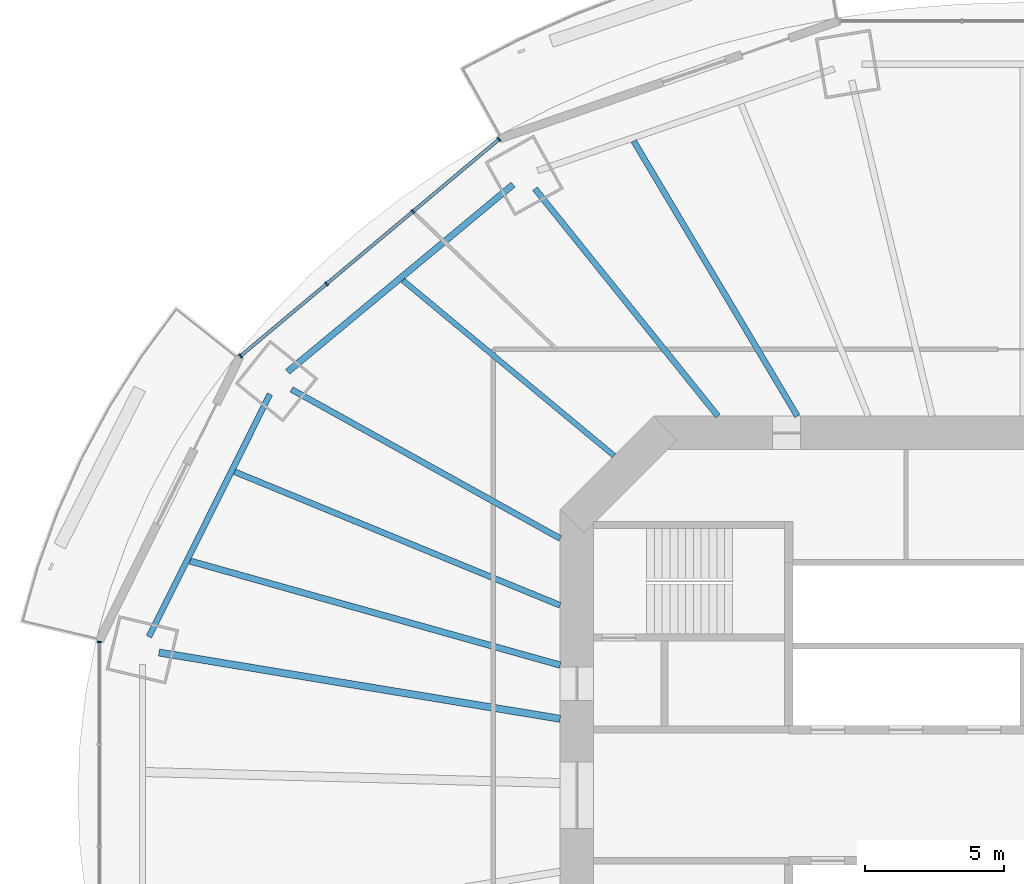
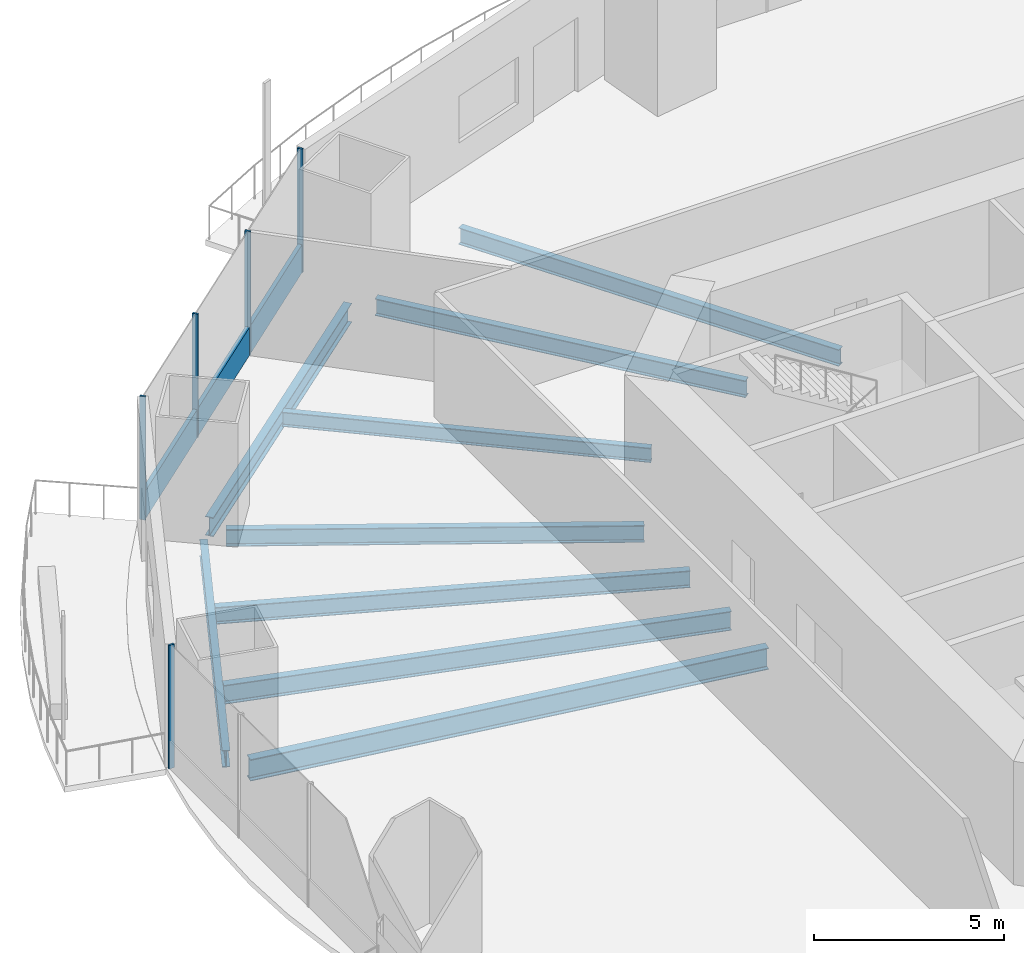
# One storey, part 6 of 21: 9 beams, 6 members, 2 elements without a shape of their own.
"""IFC4 building model written with IfcOpenShell, lengths in metres."""

from ifc_helpers import new_model, si_unit, direction, frame, origin, origin_2d, place, context, subcontext, project, spatial, rectangle, i_section, extrude, material, material_profile, profile_set, type_object, element, aggregate, save


model = new_model("IFC4")

# Units and contexts
model_context = context("Model", 3, precision=1e-05, world=origin(), true_north=direction((0.0, 1.0)))
body_context = subcontext(model_context, "Body", "Model", "MODEL_VIEW")
ifc_project = project(units=[si_unit("LENGTHUNIT", "METRE"), si_unit("AREAUNIT", "SQUARE_METRE"), si_unit("VOLUMEUNIT", "CUBIC_METRE"), si_unit("PLANEANGLEUNIT", "RADIAN"), si_unit("MASSUNIT", "GRAM", prefix="KILO")], contexts=[model_context])

# Site, building, storey
site_placement = place(None, origin())
site = spatial("IfcSite", under=ifc_project, at=site_placement, CompositionType="ELEMENT")
building_placement = place(site_placement, origin())
building = spatial("IfcBuilding", under=site, at=building_placement, Name="Marenthal Gate Tower", CompositionType="ELEMENT")
storey_placement = place(building_placement, frame((0.0, 0.0, 124.300048828125)))
storey = spatial("IfcBuildingStorey", under=building, at=storey_placement, Name="L26", CompositionType="ELEMENT", Elevation=124.300048828125)

# Curtain wall, members
ifc_material_1 = material(Name="Aluminium and glass", Category="aluminium")
curtain_wall_type = type_object("IfcCurtainWallType", Name="Curtain wall typical low", PredefinedType="NOTDEFINED", material=ifc_material_1)
curtain_wall_1_placement = place(storey_placement, origin())
curtain_wall_1 = element("IfcCurtainWall", 1, at=curtain_wall_1_placement, inside=storey, type_object=curtain_wall_type, Name="Curtain wall L26 bay 6", PredefinedType="NOTDEFINED")
ifc_material_2 = material(Name="Aluminium", Category="aluminium")
ifc_material_profile_1 = material_profile(ifc_material_2, rectangle(XDim=0.159912109375, YDim=0.06005859375, at=origin_2d()), Name="60x160 aluminium mullion")
ifc_profile_set_1 = profile_set([ifc_material_profile_1], Name="Aluminium")
member_type_1 = type_object("IfcMemberType", Name="Mullion 60x160 typical low", PredefinedType="MULLION", material=ifc_profile_set_1)
member_1_placement = place(storey_placement, frame((-18.79248046875, 23.529541015625, 0.0), z_axis=(0.0, 0.0, 1.0), x_axis=(0.642437868504, -0.766337774817, 0.0)))
member_1 = element("IfcMember", 2, at=member_1_placement, type_object=member_type_1, Name="Mullion L26 bay 6.1", PredefinedType="MULLION", context=body_context, shape_type="SweptSolid", body=[
    extrude(rectangle(XDim=0.159912109375, YDim=0.06005859375, at=origin_2d()), origin(), (0.0, 0.0, 1.0), 3.969970703125),
])
member_2_placement = place(storey_placement, frame((-21.884033203125, 20.937744140625, 0.0), z_axis=(0.0, 0.0, 1.0), x_axis=(0.642437868504, -0.766337774817, 0.0)))
member_2 = element("IfcMember", 3, at=member_2_placement, type_object=member_type_1, Name="Mullion L26 bay 6.2", PredefinedType="MULLION", context=body_context, shape_type="SweptSolid", body=[
    extrude(rectangle(XDim=0.159912109375, YDim=0.06005859375, at=origin_2d()), origin(), (0.0, 0.0, 1.0), 3.969970703125),
])
member_3_placement = place(storey_placement, frame((-24.975830078125, 18.345947265625, 0.0), z_axis=(0.0, 0.0, 1.0), x_axis=(0.642437868504, -0.766337774817, 0.0)))
member_3 = element("IfcMember", 4, at=member_3_placement, type_object=member_type_1, Name="Mullion L26 bay 6.3", PredefinedType="MULLION", context=body_context, shape_type="SweptSolid", body=[
    extrude(rectangle(XDim=0.159912109375, YDim=0.06005859375, at=origin_2d()), origin(), (0.0, 0.0, 1.0), 3.969970703125),
])
member_4_placement = place(storey_placement, frame((-28.0673828125, 15.754150390625, 0.0), z_axis=(0.0, 0.0, 1.0), x_axis=(0.642437868504, -0.766337774817, 0.0)))
member_4 = element("IfcMember", 5, at=member_4_placement, type_object=member_type_1, Name="Mullion L26 bay 6.4", PredefinedType="MULLION", context=body_context, shape_type="SweptSolid", body=[
    extrude(rectangle(XDim=0.159912109375, YDim=0.06005859375, at=origin_2d()), origin(), (0.0, 0.0, 1.0), 3.969970703125),
])

# Curtain wall, member
curtain_wall_2_placement = place(storey_placement, origin())
curtain_wall_2 = element("IfcCurtainWall", 6, at=curtain_wall_2_placement, inside=storey, type_object=curtain_wall_type, Name="Curtain wall L26 bay 8", PredefinedType="NOTDEFINED")
member_5_placement = place(storey_placement, frame((-33.134765625, 5.495361328125, 0.0), z_axis=(0.0, 0.0, 1.0), x_axis=(1.0, 0.0, 0.0)))
member_5 = element("IfcMember", 7, at=member_5_placement, type_object=member_type_1, Name="Mullion L26 bay 8.1", PredefinedType="MULLION", context=body_context, shape_type="SweptSolid", body=[
    extrude(rectangle(XDim=0.159912109375, YDim=0.06005859375, at=origin_2d()), origin(), (0.0, 0.0, 1.0), 3.969970703125),
])
aggregate(curtain_wall_2, [member_5])

# Member
ifc_material_3 = material(Name="Aluminium", Category="aluminium")
ifc_material_profile_2 = material_profile(ifc_material_3, rectangle(XDim=0.1201171875, YDim=0.89990234375, at=origin_2d()), Name="120x900 aluminium transom")
ifc_profile_set_2 = profile_set([ifc_material_profile_2], Name="Aluminium")
member_type_2 = type_object("IfcMemberType", Name="Transom 120x900 typical low", PredefinedType="USERDEFINED", material=ifc_profile_set_2)
member_6_placement = place(storey_placement, frame((-18.8154296875, 23.51025390625, 0.449951171875), z_axis=(-0.766340278264, -0.642434882233, 0.0), x_axis=(0.642434882233, -0.766340278264, 0.0)))
member_6 = element("IfcMember", 8, at=member_6_placement, type_object=member_type_2, Name="Transom L26 bay 6", ObjectType="TRANSOM", PredefinedType="USERDEFINED", context=body_context, shape_type="SweptSolid", body=[
    extrude(rectangle(XDim=0.1201171875, YDim=0.89990234375, at=origin_2d()), origin(), (0.0, 0.0, 1.0), 12.04296875),
])

aggregate(curtain_wall_1, [member_1, member_2, member_3, member_4, member_6])

# Beams
ifc_material_4 = material(Name="Steel S355", Category="steel")
ifc_material_profile_3 = material_profile(ifc_material_4, i_section(OverallWidth=0.193115234375, OverallDepth=0.467041015625, WebThickness=0.011474609375, FlangeThickness=0.01904296875, FilletRadius=0.010009765625, at=origin_2d()), Name="W460X97")
ifc_profile_set_3 = profile_set([ifc_material_profile_3], Name="Steel S355")
beam_type_1 = type_object("IfcBeamType", Name="W460X97 beam", PredefinedType="BEAM", material=ifc_profile_set_3)
beam_1_placement = place(storey_placement, frame((-22.244384765625, 18.4716796875, -0.41357421875), z_axis=(0.7693296468, -0.638852013031, 0.0), x_axis=(0.638852013031, 0.7693296468, 0.0)))
element("IfcBeam", 9, at=beam_1_placement, inside=storey, type_object=beam_type_1, Name="BM-L26-25", PredefinedType="BEAM", context=body_context, shape_type="SweptSolid", body=[
    extrude(i_section(OverallWidth=0.193115234375, OverallDepth=0.467041015625, WebThickness=0.011474609375, FlangeThickness=0.01904296875, FilletRadius=0.010009765625, at=origin_2d()), origin(), (0.0, 0.0, 1.0), 9.84765625),
])
ifc_material_5 = material(Name="Steel S355", Category="steel")
ifc_material_profile_4 = material_profile(ifc_material_5, i_section(OverallWidth=0.2099609375, OverallDepth=0.535888671875, WebThickness=0.010986328125, FlangeThickness=0.017333984375, FilletRadius=0.0126953125, at=origin_2d()), Name="W530X101")
ifc_profile_set_4 = profile_set([ifc_material_profile_4], Name="Steel S355")
beam_type_2 = type_object("IfcBeamType", Name="W530X101 beam", PredefinedType="BEAM", material=ifc_profile_set_4)
beam_2_placement = place(storey_placement, frame((-13.962158203125, 23.4658203125, -0.447998046875), z_axis=(0.51133355271, -0.859382335095, 0.0), x_axis=(0.859382335095, 0.51133355271, 0.0)))
element("IfcBeam", 10, at=beam_2_placement, inside=storey, type_object=beam_type_2, Name="BM-L26-24", PredefinedType="BEAM", context=body_context, shape_type="SweptSolid", body=[
    extrude(i_section(OverallWidth=0.2099609375, OverallDepth=0.535888671875, WebThickness=0.010986328125, FlangeThickness=0.017333984375, FilletRadius=0.0126953125, at=origin_2d()), origin(), (0.0, 0.0, 1.0), 11.47998046875),
])
ifc_material_6 = material(Name="Steel S355", Category="steel")
ifc_material_profile_5 = material_profile(ifc_material_6, i_section(OverallWidth=0.2119140625, OverallDepth=0.5439453125, WebThickness=0.01318359375, FlangeThickness=0.021240234375, FilletRadius=0.0126953125, at=origin_2d()), Name="W530X123")
ifc_profile_set_5 = profile_set([ifc_material_profile_5], Name="Steel S355")
beam_type_3 = type_object("IfcBeamType", Name="W530X123 beam", PredefinedType="BEAM", material=ifc_profile_set_5)
beam_3_placement = place(storey_placement, frame((-17.505126953125, 21.755126953125, -0.4521484375), z_axis=(0.626891327439, -0.779106708726, 0.0), x_axis=(0.779106708726, 0.626891327439, 0.0)))
element("IfcBeam", 11, at=beam_3_placement, inside=storey, type_object=beam_type_3, Name="BM-L26-06", PredefinedType="BEAM", context=body_context, shape_type="SweptSolid", body=[
    extrude(i_section(OverallWidth=0.2119140625, OverallDepth=0.5439453125, WebThickness=0.01318359375, FlangeThickness=0.021240234375, FilletRadius=0.0126953125, at=origin_2d()), origin(), (0.0, 0.0, 1.0), 10.467041015625),
])
beam_4_placement = place(storey_placement, frame((-26.23779296875, 14.55810546875, -0.4521484375), z_axis=(0.874421492378, -0.485167036872, 0.0), x_axis=(0.485167036872, 0.874421492378, 0.0)))
element("IfcBeam", 12, at=beam_4_placement, inside=storey, type_object=beam_type_3, Name="BM-L26-07", PredefinedType="BEAM", context=body_context, shape_type="SweptSolid", body=[
    extrude(i_section(OverallWidth=0.2119140625, OverallDepth=0.5439453125, WebThickness=0.01318359375, FlangeThickness=0.021240234375, FilletRadius=0.0126953125, at=origin_2d()), origin(), (0.0, 0.0, 1.0), 11.021728515625),
])
beam_5_placement = place(storey_placement, frame((-28.281005859375, 11.603515625, -0.4521484375), z_axis=(0.925153122317, -0.379594125702, 0.0), x_axis=(0.379594125702, 0.925153122317, 0.0)))
element("IfcBeam", 13, at=beam_5_placement, inside=storey, type_object=beam_type_3, Name="BM-L26-26", PredefinedType="BEAM", context=body_context, shape_type="SweptSolid", body=[
    extrude(i_section(OverallWidth=0.2119140625, OverallDepth=0.5439453125, WebThickness=0.01318359375, FlangeThickness=0.021240234375, FilletRadius=0.0126953125, at=origin_2d()), origin(), (0.0, 0.0, 1.0), 12.6259765625),
])
beam_6_placement = place(storey_placement, frame((-27.01025390625, 14.388671875, -0.4521484375), z_axis=(-0.446359643577, -0.894853657637, 0.0), x_axis=(0.894853657637, -0.446359643577, 0.0)))
element("IfcBeam", 14, at=beam_6_placement, inside=storey, type_object=beam_type_3, Name="BM-L26-47", PredefinedType="BEAM", context=body_context, shape_type="SweptSolid", body=[
    extrude(i_section(OverallWidth=0.2119140625, OverallDepth=0.5439453125, WebThickness=0.01318359375, FlangeThickness=0.021240234375, FilletRadius=0.0126953125, at=origin_2d()), origin(), (0.0, 0.0, 1.0), 9.72265625),
])
ifc_material_7 = material(Name="Steel S355", Category="steel")
ifc_material_profile_6 = material_profile(ifc_material_7, i_section(OverallWidth=0.22900390625, OverallDepth=0.612060546875, WebThickness=0.011962890625, FlangeThickness=0.01953125, FilletRadius=0.0126953125, at=origin_2d()), Name="W610X125")
ifc_profile_set_6 = profile_set([ifc_material_profile_6], Name="Steel S355")
beam_type_4 = type_object("IfcBeamType", Name="W610X125 beam", PredefinedType="BEAM", material=ifc_profile_set_6)
beam_7_placement = place(storey_placement, frame((-29.87841796875, 8.401123046875, -0.486083984375), z_axis=(0.962667661215, -0.270686117213, 0.0), x_axis=(0.270686117213, 0.962667661215, 0.0)))
element("IfcBeam", 15, at=beam_7_placement, inside=storey, type_object=beam_type_4, Name="BM-L26-27", PredefinedType="BEAM", context=body_context, shape_type="SweptSolid", body=[
    extrude(i_section(OverallWidth=0.22900390625, OverallDepth=0.612060546875, WebThickness=0.011962890625, FlangeThickness=0.01953125, FilletRadius=0.0126953125, at=origin_2d()), origin(), (0.0, 0.0, 1.0), 13.793212890625),
])
beam_8_placement = place(storey_placement, frame((-18.289794921875, 21.904541015625, -0.486083984375), z_axis=(-0.769335786628, -0.638844619148, 0.0), x_axis=(0.638844619148, -0.769335786628, 0.0)))
element("IfcBeam", 16, at=beam_8_placement, inside=storey, type_object=beam_type_4, Name="BM-L26-46", PredefinedType="BEAM", context=body_context, shape_type="SweptSolid", body=[
    extrude(i_section(OverallWidth=0.22900390625, OverallDepth=0.612060546875, WebThickness=0.011962890625, FlangeThickness=0.01953125, FilletRadius=0.0126953125, at=origin_2d()), origin(), (0.0, 0.0, 1.0), 10.510986328125),
])
ifc_material_8 = material(Name="Steel S355", Category="steel")
ifc_material_profile_7 = material_profile(ifc_material_8, i_section(OverallWidth=0.257080078125, OverallDepth=0.693115234375, WebThickness=0.014404296875, FlangeThickness=0.023681640625, FilletRadius=0.015380859375, at=origin_2d()), Name="W690X170")
ifc_profile_set_7 = profile_set([ifc_material_profile_7], Name="Steel S355")
beam_type_5 = type_object("IfcBeamType", Name="W690X170 beam", PredefinedType="BEAM", material=ifc_profile_set_7)
beam_9_placement = place(storey_placement, frame((-30.990478515625, 5.118896484375, -0.526611328125), z_axis=(0.986631300462, -0.162968331122, 0.0), x_axis=(0.162968331122, 0.986631300462, 0.0)))
element("IfcBeam", 17, at=beam_9_placement, inside=storey, type_object=beam_type_5, Name="BM-L26-08", PredefinedType="BEAM", context=body_context, shape_type="SweptSolid", body=[
    extrude(i_section(OverallWidth=0.257080078125, OverallDepth=0.693115234375, WebThickness=0.014404296875, FlangeThickness=0.023681640625, FilletRadius=0.015380859375, at=origin_2d()), origin(), (0.0, 0.0, 1.0), 14.58544921875),
])

save(model, "model.ifc")
